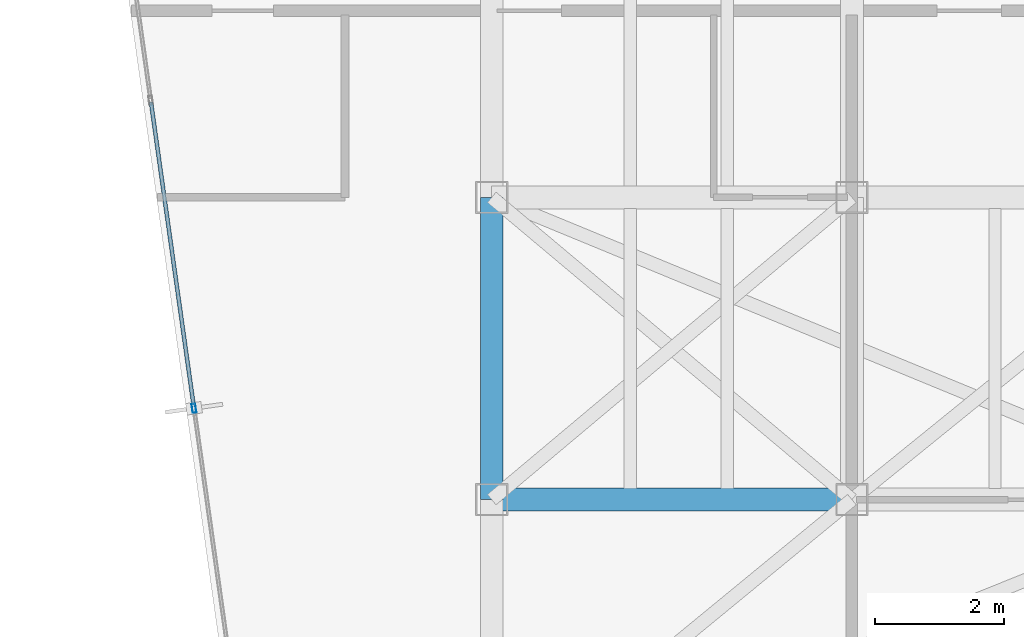
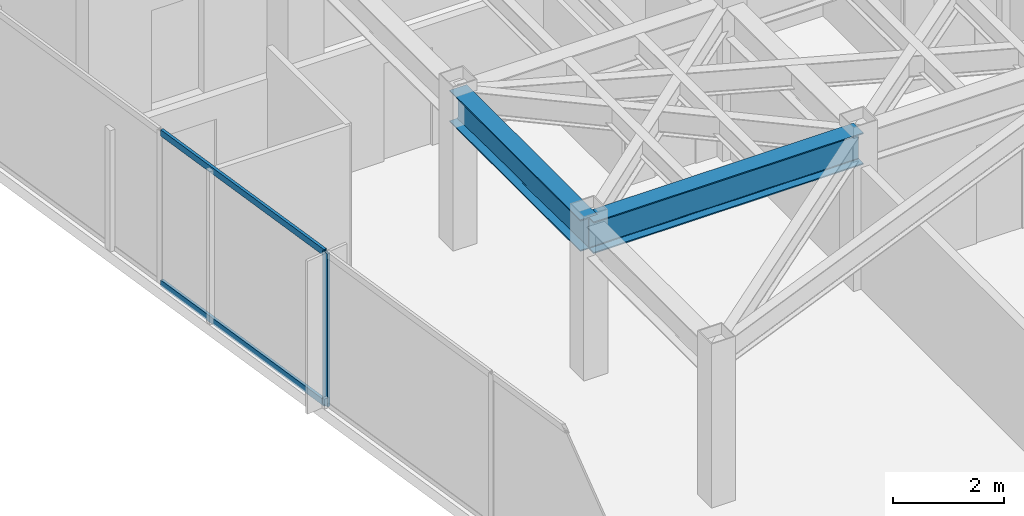
# One storey, part 5 of 20: 3 members, 2 beams, 1 element without a shape of its own.
"""IFC4 building model written with IfcOpenShell, lengths in metres."""

from ifc_helpers import new_model, si_unit, direction, frame, origin, origin_2d, place, context, subcontext, project, spatial, hollow_rectangle, i_section, extrude, material, layer, layer_set, material_profile, profile_set, type_object, element, aggregate, save


model = new_model("IFC4")

# Units and contexts
model_context = context("Model", 3, precision=1e-05, world=origin(), true_north=direction((0.0, 1.0)))
body_context = subcontext(model_context, "Body", "Model", "MODEL_VIEW")
ifc_project = project(units=[si_unit("LENGTHUNIT", "METRE"), si_unit("AREAUNIT", "SQUARE_METRE"), si_unit("VOLUMEUNIT", "CUBIC_METRE"), si_unit("PLANEANGLEUNIT", "RADIAN"), si_unit("MASSUNIT", "GRAM", prefix="KILO")], contexts=[model_context])

# Site, building, storey
site_placement = place(None, origin())
site = spatial("IfcSite", under=ifc_project, at=site_placement, CompositionType="ELEMENT")
building_placement = place(site_placement, origin())
building = spatial("IfcBuilding", under=site, at=building_placement, Name="Kravanh Interchange Tower", CompositionType="ELEMENT")
storey_placement = place(building_placement, frame((0.0, 0.0, 238.199951171875)))
storey = spatial("IfcBuildingStorey", under=building, at=storey_placement, Name="L57", CompositionType="ELEMENT", Elevation=238.199951171875)

# Curtain wall, members
ifc_material_1 = material(Name="Anodised Bronze Aluminium", Category="aluminium")
ifc_layer = layer(ifc_material_1, 0.179931640625)
ifc_layer_set = layer_set([ifc_layer], Name="Unitised Curtain Wall System CW-HTL Luxury Hotel")
curtain_wall_type = type_object("IfcCurtainWallType", Name="Unitised Curtain Wall System CW-HTL Luxury Hotel", PredefinedType="NOTDEFINED", material=ifc_layer_set)
curtain_wall_placement = place(storey_placement, origin())
curtain_wall = element("IfcCurtainWall", 1, at=curtain_wall_placement, inside=storey, type_object=curtain_wall_type, Name="L57 Unitised Curtain Wall CW-L57-01", PredefinedType="NOTDEFINED")
ifc_material_2 = material(Name="Anodised Bronze Aluminium", Category="aluminium")
ifc_material_profile_1 = material_profile(ifc_material_2, hollow_rectangle(XDim=0.06005859375, YDim=0.139892578125, WallThickness=0.00390625, at=origin_2d()), Name="ALU60X140X4")
ifc_profile_set_1 = profile_set([ifc_material_profile_1], Name="Anodised Bronze Aluminium")
member_type_1 = type_object("IfcMemberType", Name="Curtain Wall Mullion ALU60X140X4 Bronze", PredefinedType="MULLION", material=ifc_profile_set_1)
member_1_placement = place(storey_placement, frame((22.5712890625, 28.220703125, 0.0), z_axis=(0.0, 0.0, 1.0), x_axis=(-0.990267623707, -0.13917626751, 0.0)))
member_1 = element("IfcMember", 2, at=member_1_placement, type_object=member_type_1, Name="CW-HTL mullion 3", PredefinedType="MULLION", context=body_context, shape_type="SweptSolid", body=[
    extrude(hollow_rectangle(XDim=0.06005859375, YDim=0.139892578125, WallThickness=0.00390625, at=origin_2d()), origin(), (0.0, 0.0, 1.0), 3.360107421875),
])
ifc_material_3 = material(Name="Anodised Bronze Aluminium", Category="aluminium")
ifc_material_profile_2 = material_profile(ifc_material_3, hollow_rectangle(XDim=0.06005859375, YDim=0.139892578125, WallThickness=0.00390625, at=origin_2d()), Name="ALU60X140X4")
ifc_profile_set_2 = profile_set([ifc_material_profile_2], Name="Anodised Bronze Aluminium")
member_type_2 = type_object("IfcMemberType", Name="Curtain Wall Transom ALU60X140X4 Bronze", PredefinedType="USERDEFINED", material=ifc_profile_set_2)
member_2_placement = place(storey_placement, frame((22.567138671875, 28.25048828125, 0.030029296875), z_axis=(-0.139174169915, 0.990267918509, 0.0), x_axis=(-0.990267918509, -0.139174169915, 0.0)))
member_2 = element("IfcMember", 3, at=member_2_placement, type_object=member_type_2, Name="CW-HTL transom 3.1", ObjectType="TRANSOM", PredefinedType="USERDEFINED", context=body_context, shape_type="SweptSolid", body=[
    extrude(hollow_rectangle(XDim=0.06005859375, YDim=0.139892578125, WallThickness=0.00390625, at=origin_2d()), origin(), (0.0, 0.0, 1.0), 4.776611328125),
])
member_3_placement = place(storey_placement, frame((22.567138671875, 28.25048828125, 3.330078125), z_axis=(-0.139174169915, 0.990267918509, 0.0), x_axis=(-0.990267918509, -0.139174169915, 0.0)))
member_3 = element("IfcMember", 4, at=member_3_placement, type_object=member_type_2, Name="CW-HTL transom 3.2", ObjectType="TRANSOM", PredefinedType="USERDEFINED", context=body_context, shape_type="SweptSolid", body=[
    extrude(hollow_rectangle(XDim=0.06005859375, YDim=0.139892578125, WallThickness=0.00390625, at=origin_2d()), origin(), (0.0, 0.0, 1.0), 4.776611328125),
])
aggregate(curtain_wall, [member_1, member_2, member_3])

# Beams
ifc_material_4 = material(Name="Structural Steel S355", Category="steel")
ifc_material_profile_3 = material_profile(ifc_material_4, i_section(OverallWidth=0.35498046875, OverallDepth=0.696044921875, WebThickness=0.015380859375, FlangeThickness=0.02490234375, FilletRadius=0.02392578125, at=origin_2d()), Name="W27X146")
ifc_profile_set_3 = profile_set([ifc_material_profile_3], Name="Structural Steel S355")
beam_type = type_object("IfcBeamType", Name="Floor Beam W27X146 Structural Steel S355", PredefinedType="BEAM", material=ifc_profile_set_3)
beam_1_placement = place(storey_placement, frame((27.199951171875, 31.5, 3.011962890625), z_axis=(0.0, -1.0, 0.0), x_axis=(1.0, 0.0, 0.0)))
element("IfcBeam", 5, at=beam_1_placement, inside=storey, type_object=beam_type, Name="L57 Primary Floor Girder 25", PredefinedType="BEAM", context=body_context, shape_type="SweptSolid", body=[
    extrude(i_section(OverallWidth=0.35498046875, OverallDepth=0.696044921875, WebThickness=0.015380859375, FlangeThickness=0.02490234375, FilletRadius=0.02392578125, at=origin_2d()), origin(), (0.0, 0.0, 1.0), 4.699951171875),
])
beam_2_placement = place(storey_placement, frame((27.199951171875, 26.800048828125, 3.011962890625), z_axis=(1.0, 0.0, 0.0), x_axis=(0.0, 1.0, 0.0)))
element("IfcBeam", 6, at=beam_2_placement, inside=storey, type_object=beam_type, Name="L57 Primary Floor Girder 42", PredefinedType="BEAM", context=body_context, shape_type="SweptSolid", body=[
    extrude(i_section(OverallWidth=0.35498046875, OverallDepth=0.696044921875, WebThickness=0.015380859375, FlangeThickness=0.02490234375, FilletRadius=0.02392578125, at=origin_2d()), origin(), (0.0, 0.0, 1.0), 5.60009765625),
])

save(model, "model.ifc")
